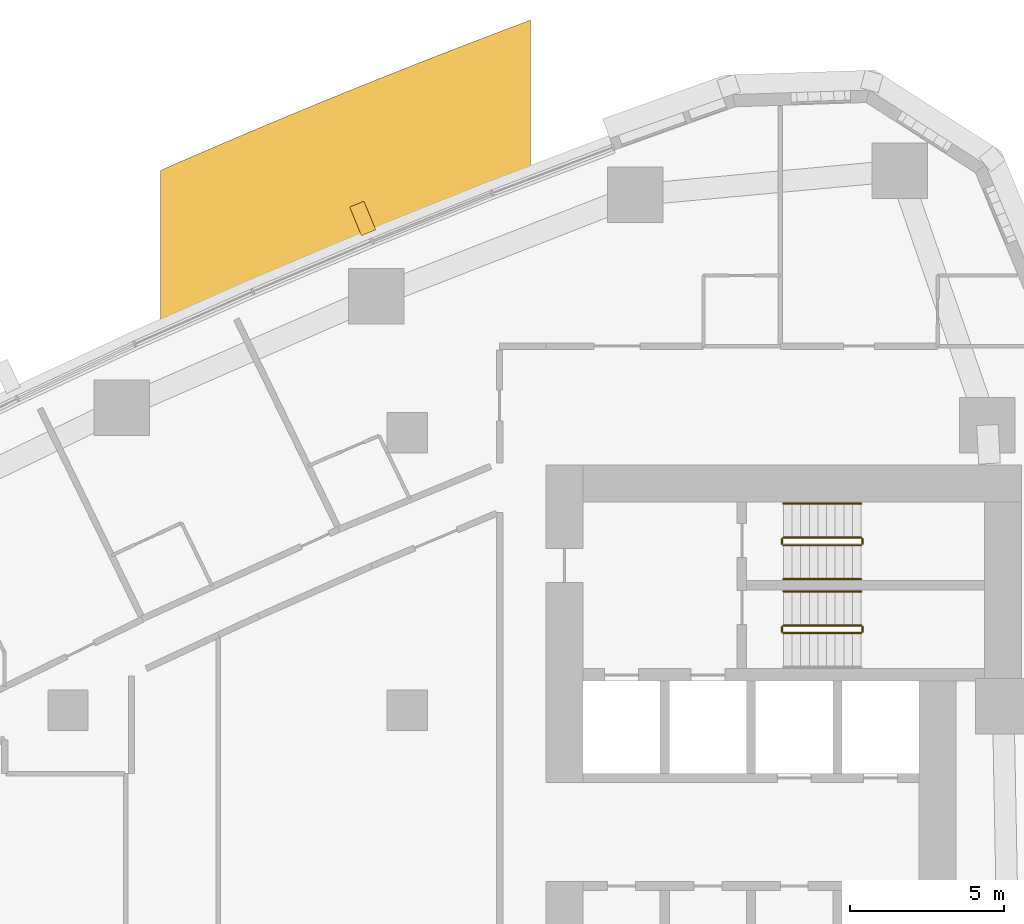
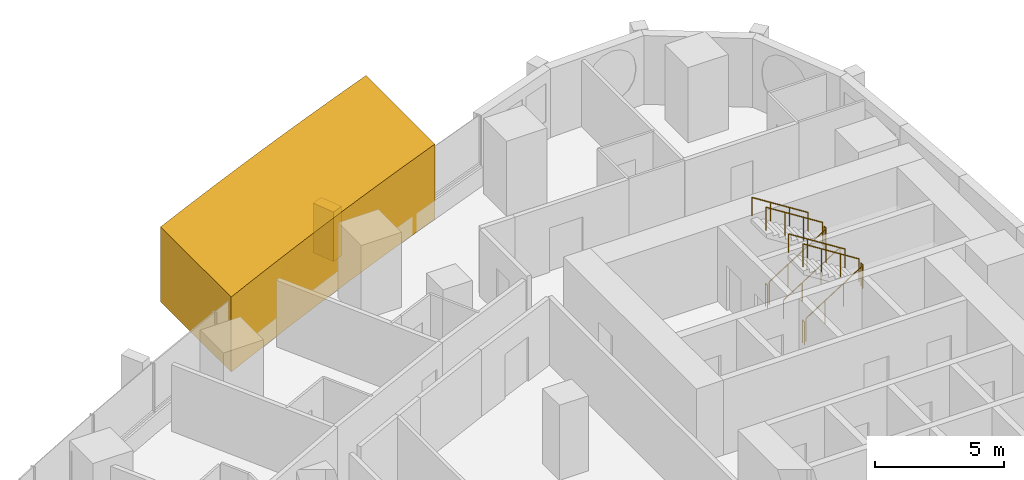
# One storey, part 18 of 19: 11 railings, 2 coverings.
"""IFC4 building model written with IfcOpenShell, lengths in metres."""

from ifc_helpers import new_model, si_unit, direction, frame, frame_2d, origin, origin_2d, place, context, subcontext, project, spatial, polyline, rectangle, circle, outline, extrude, material, layer, layer_set, type_object, element, save


model = new_model("IFC4")

# Units and contexts
model_context = context("Model", 3, precision=1e-05, world=origin(), true_north=direction((0.0, 1.0)))
body_context = subcontext(model_context, "Body", "Model", "MODEL_VIEW")
ifc_project = project(units=[si_unit("LENGTHUNIT", "METRE"), si_unit("AREAUNIT", "SQUARE_METRE"), si_unit("VOLUMEUNIT", "CUBIC_METRE"), si_unit("PLANEANGLEUNIT", "RADIAN"), si_unit("MASSUNIT", "GRAM", prefix="KILO")], contexts=[model_context])

# Site, building, storey
site_placement = place(None, origin())
site = spatial("IfcSite", under=ifc_project, at=site_placement, CompositionType="ELEMENT")
building_placement = place(site_placement, origin())
building = spatial("IfcBuilding", under=site, at=building_placement, Name="Ostrand Prow Hotel Tower", CompositionType="ELEMENT")
storey_placement = place(building_placement, frame((0.0, 0.0, 71.550048828125)))
storey = spatial("IfcBuildingStorey", under=building, at=storey_placement, Name="L16", CompositionType="ELEMENT", Elevation=71.550048828125)

# Coverings
ifc_material_1 = material(Name="Limestone cladding", Category="masonry")
ifc_layer_1 = layer(ifc_material_1, 5.0)
ifc_layer_set_1 = layer_set([ifc_layer_1], Name="Limestone cladding")
covering_type_1 = type_object("IfcCoveringType", Name="Portal jamb pilaster limestone", PredefinedType="CLADDING", material=ifc_layer_set_1)
covering_1_placement = place(storey_placement, origin())
element("IfcCovering", 1, at=covering_1_placement, inside=storey, type_object=covering_type_1, Name="Portal jamb NB L16", PredefinedType="CLADDING", context=body_context, shape_type="SweptSolid", body=[
    extrude(outline(polyline([(37.0, 21.037109375), (38.0, 21.484619140625), (39.0, 21.9267578125), (40.0, 22.363037109375), (41.0, 22.793701171875), (42.0, 23.218505859375), (43.0, 23.637939453125), (44.0, 24.051513671875), (45.0, 24.459716796875), (46.0, 24.862548828125), (47.0, 25.259765625), (48.0, 25.6513671875), (49.0, 26.03759765625), (49.0, 31.384521484375), (48.0, 31.0078125), (47.0, 30.62548828125), (46.0, 30.23828125), (45.0, 29.845703125), (44.0, 29.447509765625), (43.0, 29.044189453125), (42.0, 28.635498046875), (41.0, 28.22119140625), (40.0, 27.801513671875), (39.0, 27.376220703125), (38.0, 26.945556640625), (37.0, 26.50927734375), (37.0, 21.037109375)])), origin(), (0.0, 0.0, 1.0), 3.550048828125),
])
ifc_material_2 = material(Name="Limestone cladding", Category="masonry")
ifc_layer_2 = layer(ifc_material_2, 0.5)
ifc_layer_set_2 = layer_set([ifc_layer_2], Name="Limestone cladding")
covering_type_2 = type_object("IfcCoveringType", Name="Precast stone fin 500x900", PredefinedType="CLADDING", material=ifc_layer_set_2)
covering_2_placement = place(storey_placement, frame((43.74560546875, 24.487548828125, 0.89990234375), z_axis=(0.0, 0.0, 1.0), x_axis=(-0.380590179681, 0.924743810539, 0.0)))
element("IfcCovering", 2, at=covering_2_placement, inside=storey, type_object=covering_type_2, Name="Stone fin N 3", PredefinedType="CLADDING", context=body_context, shape_type="SweptSolid", body=[
    extrude(rectangle(XDim=1.0, YDim=0.5, at=frame_2d((0.5, 0.0))), origin(), (0.0, 0.0, 1.0), 2.35009765625),
])

# Railings
ifc_material_3 = material(Name="Painted steel", Category="steel")
railing_type_1 = type_object("IfcRailingType", Name="Stair guard 1100", PredefinedType="GUARDRAIL", material=ifc_material_3)
railing_1_placement = place(storey_placement, frame((57.199951171875, 11.5, 0.177490234375)))
element("IfcRailing", 3, at=railing_1_placement, inside=storey, type_object=railing_type_1, Name="L16 ST1C stair guard 1", PredefinedType="GUARDRAIL", context=body_context, shape_type="SweptSolid", body=[
    extrude(circle(Radius=0.02392578125, at=origin_2d()), frame((0.0, 0.0, 1.076171875), z_axis=(0.84460694969, 0.0, 0.535386869969), x_axis=(0.0, 1.0, 0.0)), (0.0, 0.0, 1.0), 2.983642578125),
    extrude(circle(Radius=0.02099609375, at=origin_2d()), origin(), (0.0, 0.0, 1.0), 1.052001953125),
    extrude(circle(Radius=0.02099609375, at=origin_2d()), frame((0.840087890625, 0.0, 0.532470703125)), (0.0, 0.0, 1.0), 1.052001953125),
    extrude(circle(Radius=0.02099609375, at=origin_2d()), frame((1.679931640625, 0.0, 1.06494140625)), (0.0, 0.0, 1.0), 1.052001953125),
    extrude(circle(Radius=0.02099609375, at=origin_2d()), frame((2.52001953125, 0.0, 1.597412109375)), (0.0, 0.0, 1.0), 1.052001953125),
])
railing_2_placement = place(storey_placement, frame((59.77001953125, 11.550048828125, 1.77490234375)))
element("IfcRailing", 4, at=railing_2_placement, inside=storey, type_object=railing_type_1, Name="L16 ST1C stair guard 2", PredefinedType="GUARDRAIL", context=body_context, shape_type="SweptSolid", body=[
    extrude(circle(Radius=0.02392578125, at=origin_2d()), frame((0.0, 0.0, 1.076171875), z_axis=(0.0, 1.0, 0.0), x_axis=(-1.0, 0.0, 0.0)), (0.0, 0.0, 1.0), 0.14990234375),
    extrude(circle(Radius=0.02099609375, at=origin_2d()), origin(), (0.0, 0.0, 1.0), 1.052001953125),
    extrude(circle(Radius=0.02099609375, at=origin_2d()), frame((0.0, 0.14990234375, 0.0)), (0.0, 0.0, 1.0), 1.052001953125),
])
railing_3_placement = place(storey_placement, frame((59.719970703125, 11.75, 1.952392578125)))
element("IfcRailing", 5, at=railing_3_placement, inside=storey, type_object=railing_type_1, Name="L16 ST1C stair guard 3", PredefinedType="GUARDRAIL", context=body_context, shape_type="SweptSolid", body=[
    extrude(circle(Radius=0.02392578125, at=origin_2d()), frame((0.0, 0.0, 1.076171875), z_axis=(-0.84456994832, 0.0, 0.535445237532), x_axis=(0.0, -1.0, 0.0)), (0.0, 0.0, 1.0), 2.98388671875),
    extrude(circle(Radius=0.02099609375, at=origin_2d()), origin(), (0.0, 0.0, 1.0), 1.052001953125),
    extrude(circle(Radius=0.02099609375, at=origin_2d()), frame((-0.840087890625, 0.0, 0.532470703125)), (0.0, 0.0, 1.0), 1.052001953125),
    extrude(circle(Radius=0.02099609375, at=origin_2d()), frame((-1.679931640625, 0.0, 1.065185546875)), (0.0, 0.0, 1.0), 1.052001953125),
    extrude(circle(Radius=0.02099609375, at=origin_2d()), frame((-2.52001953125, 0.0, 1.59765625)), (0.0, 0.0, 1.0), 1.052001953125),
])
railing_4_placement = place(storey_placement, frame((57.14990234375, 11.550048828125, 0.0)))
element("IfcRailing", 6, at=railing_4_placement, inside=storey, type_object=railing_type_1, Name="L16 ST1C stair guard 4", PredefinedType="GUARDRAIL", context=body_context, shape_type="SweptSolid", body=[
    extrude(circle(Radius=0.02392578125, at=origin_2d()), frame((0.0, 0.0, 1.076171875), z_axis=(0.0, 1.0, 0.0), x_axis=(-1.0, 0.0, 0.0)), (0.0, 0.0, 1.0), 0.14990234375),
    extrude(circle(Radius=0.02099609375, at=origin_2d()), origin(), (0.0, 0.0, 1.0), 1.052001953125),
    extrude(circle(Radius=0.02099609375, at=origin_2d()), frame((0.0, 0.14990234375, 0.0)), (0.0, 0.0, 1.0), 1.052001953125),
])
railing_5_placement = place(storey_placement, frame((57.199951171875, 14.35009765625, 0.177490234375)))
element("IfcRailing", 7, at=railing_5_placement, inside=storey, type_object=railing_type_1, Name="L16 ST3C stair guard 1", PredefinedType="GUARDRAIL", context=body_context, shape_type="SweptSolid", body=[
    extrude(circle(Radius=0.02392578125, at=origin_2d()), frame((0.0, 0.0, 1.076171875), z_axis=(0.84460694969, 0.0, 0.535386869969), x_axis=(0.0, 1.0, 0.0)), (0.0, 0.0, 1.0), 2.983642578125),
    extrude(circle(Radius=0.02099609375, at=origin_2d()), origin(), (0.0, 0.0, 1.0), 1.052001953125),
    extrude(circle(Radius=0.02099609375, at=origin_2d()), frame((0.840087890625, 0.0, 0.532470703125)), (0.0, 0.0, 1.0), 1.052001953125),
    extrude(circle(Radius=0.02099609375, at=origin_2d()), frame((1.679931640625, 0.0, 1.06494140625)), (0.0, 0.0, 1.0), 1.052001953125),
    extrude(circle(Radius=0.02099609375, at=origin_2d()), frame((2.52001953125, 0.0, 1.597412109375)), (0.0, 0.0, 1.0), 1.052001953125),
])
railing_6_placement = place(storey_placement, frame((59.77001953125, 14.39990234375, 1.77490234375)))
element("IfcRailing", 8, at=railing_6_placement, inside=storey, type_object=railing_type_1, Name="L16 ST3C stair guard 2", PredefinedType="GUARDRAIL", context=body_context, shape_type="SweptSolid", body=[
    extrude(circle(Radius=0.02392578125, at=origin_2d()), frame((0.0, 0.0, 1.076171875), z_axis=(0.0, 1.0, 0.0), x_axis=(-1.0, 0.0, 0.0)), (0.0, 0.0, 1.0), 0.150146484375),
    extrude(circle(Radius=0.02099609375, at=origin_2d()), origin(), (0.0, 0.0, 1.0), 1.052001953125),
    extrude(circle(Radius=0.02099609375, at=origin_2d()), frame((0.0, 0.150146484375, 0.0)), (0.0, 0.0, 1.0), 1.052001953125),
])
railing_7_placement = place(storey_placement, frame((59.719970703125, 14.60009765625, 1.952392578125)))
element("IfcRailing", 9, at=railing_7_placement, inside=storey, type_object=railing_type_1, Name="L16 ST3C stair guard 3", PredefinedType="GUARDRAIL", context=body_context, shape_type="SweptSolid", body=[
    extrude(circle(Radius=0.02392578125, at=origin_2d()), frame((0.0, 0.0, 1.076171875), z_axis=(-0.84456994832, 0.0, 0.535445237532), x_axis=(0.0, -1.0, 0.0)), (0.0, 0.0, 1.0), 2.98388671875),
    extrude(circle(Radius=0.02099609375, at=origin_2d()), origin(), (0.0, 0.0, 1.0), 1.052001953125),
    extrude(circle(Radius=0.02099609375, at=origin_2d()), frame((-0.840087890625, 0.0, 0.532470703125)), (0.0, 0.0, 1.0), 1.052001953125),
    extrude(circle(Radius=0.02099609375, at=origin_2d()), frame((-1.679931640625, 0.0, 1.065185546875)), (0.0, 0.0, 1.0), 1.052001953125),
    extrude(circle(Radius=0.02099609375, at=origin_2d()), frame((-2.52001953125, 0.0, 1.59765625)), (0.0, 0.0, 1.0), 1.052001953125),
])
railing_8_placement = place(storey_placement, frame((57.14990234375, 14.39990234375, 0.0)))
element("IfcRailing", 10, at=railing_8_placement, inside=storey, type_object=railing_type_1, Name="L16 ST3C stair guard 4", PredefinedType="GUARDRAIL", context=body_context, shape_type="SweptSolid", body=[
    extrude(circle(Radius=0.02392578125, at=origin_2d()), frame((0.0, 0.0, 1.076171875), z_axis=(0.0, 1.0, 0.0), x_axis=(-1.0, 0.0, 0.0)), (0.0, 0.0, 1.0), 0.150146484375),
    extrude(circle(Radius=0.02099609375, at=origin_2d()), origin(), (0.0, 0.0, 1.0), 1.052001953125),
    extrude(circle(Radius=0.02099609375, at=origin_2d()), frame((0.0, 0.150146484375, 0.0)), (0.0, 0.0, 1.0), 1.052001953125),
])
ifc_material_4 = material(Name="Stainless steel", Category="steel")
railing_type_2 = type_object("IfcRailingType", Name="Stair handrail 900", PredefinedType="HANDRAIL", material=ifc_material_4)
railing_9_placement = place(storey_placement, frame((59.719970703125, 12.85009765625, 1.952392578125)))
element("IfcRailing", 11, at=railing_9_placement, inside=storey, type_object=railing_type_2, Name="L16 ST1C stair handrail 2", PredefinedType="HANDRAIL", context=body_context, shape_type="SweptSolid", body=[
    extrude(circle(Radius=0.02392578125, at=origin_2d()), frame((0.0, 0.0, 0.8759765625), z_axis=(-0.84456994832, 0.0, 0.535445237532), x_axis=(0.0, -1.0, 0.0)), (0.0, 0.0, 1.0), 2.98388671875),
    extrude(circle(Radius=0.02099609375, at=origin_2d()), origin(), (0.0, 0.0, 1.0), 0.851806640625),
    extrude(circle(Radius=0.02099609375, at=origin_2d()), frame((-0.840087890625, 0.0, 0.532470703125)), (0.0, 0.0, 1.0), 0.851806640625),
    extrude(circle(Radius=0.02099609375, at=origin_2d()), frame((-1.679931640625, 0.0, 1.065185546875)), (0.0, 0.0, 1.0), 0.851806640625),
    extrude(circle(Radius=0.02099609375, at=origin_2d()), frame((-2.52001953125, 0.0, 1.59765625)), (0.0, 0.0, 1.0), 0.851806640625),
])
railing_10_placement = place(storey_placement, frame((57.199951171875, 13.25, 0.177490234375)))
element("IfcRailing", 12, at=railing_10_placement, inside=storey, type_object=railing_type_2, Name="L16 ST3C stair handrail 1", PredefinedType="HANDRAIL", context=body_context, shape_type="SweptSolid", body=[
    extrude(circle(Radius=0.02392578125, at=origin_2d()), frame((0.0, 0.0, 0.8759765625), z_axis=(0.84460694969, 0.0, 0.535386869969), x_axis=(0.0, 1.0, 0.0)), (0.0, 0.0, 1.0), 2.983642578125),
    extrude(circle(Radius=0.02099609375, at=origin_2d()), origin(), (0.0, 0.0, 1.0), 0.851806640625),
    extrude(circle(Radius=0.02099609375, at=origin_2d()), frame((0.840087890625, 0.0, 0.532470703125)), (0.0, 0.0, 1.0), 0.851806640625),
    extrude(circle(Radius=0.02099609375, at=origin_2d()), frame((1.679931640625, 0.0, 1.06494140625)), (0.0, 0.0, 1.0), 0.851806640625),
    extrude(circle(Radius=0.02099609375, at=origin_2d()), frame((2.52001953125, 0.0, 1.597412109375)), (0.0, 0.0, 1.0), 0.851806640625),
])
railing_11_placement = place(storey_placement, frame((59.719970703125, 15.699951171875, 1.952392578125)))
element("IfcRailing", 13, at=railing_11_placement, inside=storey, type_object=railing_type_2, Name="L16 ST3C stair handrail 2", PredefinedType="HANDRAIL", context=body_context, shape_type="SweptSolid", body=[
    extrude(circle(Radius=0.02392578125, at=origin_2d()), frame((0.0, 0.0, 0.8759765625), z_axis=(-0.84456994832, 0.0, 0.535445237532), x_axis=(0.0, -1.0, 0.0)), (0.0, 0.0, 1.0), 2.98388671875),
    extrude(circle(Radius=0.02099609375, at=origin_2d()), origin(), (0.0, 0.0, 1.0), 0.851806640625),
    extrude(circle(Radius=0.02099609375, at=origin_2d()), frame((-0.840087890625, 0.0, 0.532470703125)), (0.0, 0.0, 1.0), 0.851806640625),
    extrude(circle(Radius=0.02099609375, at=origin_2d()), frame((-1.679931640625, 0.0, 1.065185546875)), (0.0, 0.0, 1.0), 0.851806640625),
    extrude(circle(Radius=0.02099609375, at=origin_2d()), frame((-2.52001953125, 0.0, 1.59765625)), (0.0, 0.0, 1.0), 0.851806640625),
])

save(model, "model.ifc")
